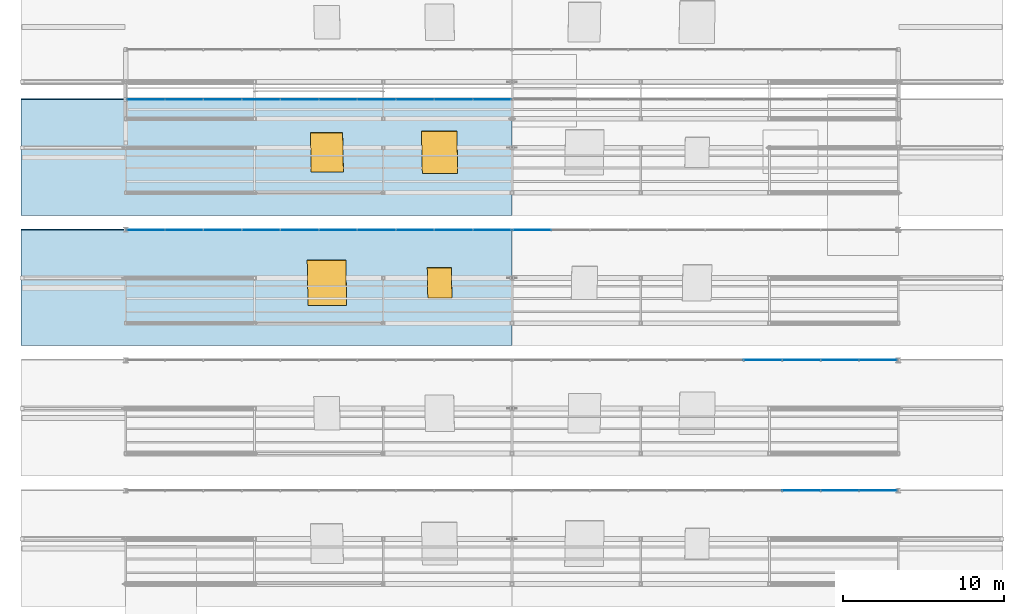
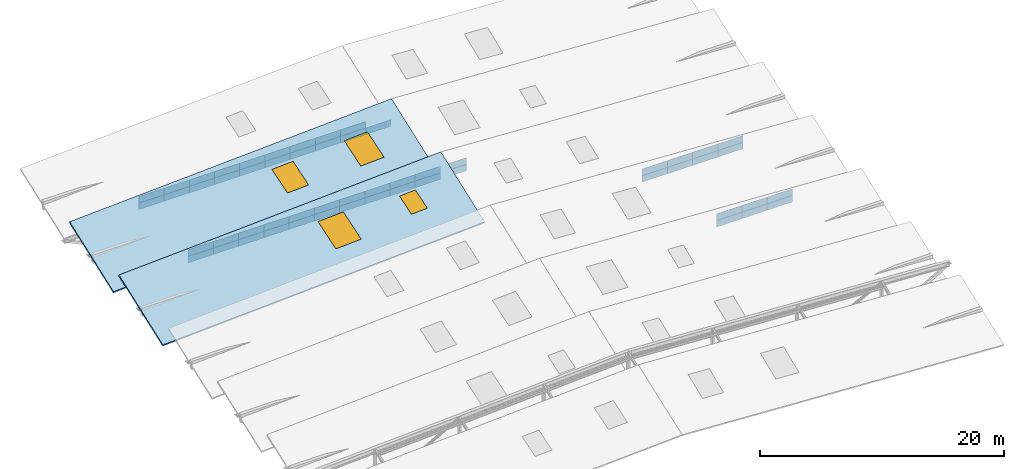
# One storey, part 129 of 141: 55 plates, 4 windows, 2 slabs, 4 openings, 6 elements without a shape of their own.
"""IFC4 building model written with IfcOpenShell, lengths in metres."""

from ifc_helpers import new_model, si_unit, direction, frame, origin, origin_2d, place, context, subcontext, project, spatial, polyline, rectangle, outline, extrude, material, layer, layer_set, type_object, element, fill, aggregate, save


model = new_model("IFC4")

# Units and contexts
model_context = context("Model", 3, precision=1e-05, world=origin(), true_north=direction((0.0, 1.0)))
body_context = subcontext(model_context, "Body", "Model", "MODEL_VIEW")
ifc_project = project(units=[si_unit("LENGTHUNIT", "METRE"), si_unit("AREAUNIT", "SQUARE_METRE"), si_unit("VOLUMEUNIT", "CUBIC_METRE"), si_unit("PLANEANGLEUNIT", "RADIAN"), si_unit("MASSUNIT", "GRAM", prefix="KILO")], contexts=[model_context])

# Site, building, storey
site_placement = place(None, origin())
site = spatial("IfcSite", under=ifc_project, at=site_placement, CompositionType="ELEMENT")
building_placement = place(site_placement, origin())
building = spatial("IfcBuilding", under=site, at=building_placement, Name="Sundkrona Museum", CompositionType="ELEMENT")
storey_placement = place(building_placement, frame((0.0, 0.0, 34.0)))
storey = spatial("IfcBuildingStorey", under=building, at=storey_placement, Name="RF", CompositionType="ELEMENT", Elevation=34.0)

# Curtain wall, plates
ifc_material_1 = material(Name="Unitised Aluminium-Steel and Ceramic-Clad Curtain Walling", Category="steel")
curtain_wall_type = type_object("IfcCurtainWallType", Name="CW-SW-240x13", PredefinedType="NOTDEFINED", material=ifc_material_1)
curtain_wall_1_placement = place(storey_placement, origin())
curtain_wall_1 = element("IfcCurtainWall", 1, at=curtain_wall_1_placement, inside=storey, type_object=curtain_wall_type, Name="Sawtooth Bay 3 East North-Light Clerestory", PredefinedType="NOTDEFINED")
ifc_material_2 = material(Name="North-Light Diffusing Triple Glazing 32 mm", Category="glass")
ifc_layer_1 = layer(ifc_material_2, 0.031982421875)
ifc_layer_set_1 = layer_set([ifc_layer_1], Name="North-Light Diffusing Triple Glazing 32 mm")
plate_type = type_object("IfcPlateType", Name="PN-GL-02", PredefinedType="CURTAIN_PANEL", material=ifc_layer_set_1)
plate_1_placement = place(storey_placement, frame((161.97509765625, 18.39990234375, 3.05322265625), z_axis=(0.0, 0.0, 1.0), x_axis=(1.0, 0.0, 0.0)))
plate_1 = element("IfcPlate", 2, at=plate_1_placement, type_object=plate_type, Name="CW-RF-SAW-03E Panel 15", PredefinedType="CURTAIN_PANEL", context=body_context, shape_type="SweptSolid", body=[
    extrude(rectangle(XDim=2.389892578125, YDim=0.031982421875, at=origin_2d()), origin(), (0.0, 0.0, 1.0), 0.659912109375),
])
plate_2_placement = place(storey_placement, frame((161.97509765625, 18.39990234375, 3.712890625), z_axis=(0.0, 0.0, 1.0), x_axis=(1.0, 0.0, 0.0)))
plate_2 = element("IfcPlate", 3, at=plate_2_placement, type_object=plate_type, Name="CW-RF-SAW-03E Panel 16", PredefinedType="CURTAIN_PANEL", context=body_context, shape_type="SweptSolid", body=[
    extrude(rectangle(XDim=2.389892578125, YDim=0.031982421875, at=origin_2d()), origin(), (0.0, 0.0, 1.0), 0.659912109375),
])
plate_3_placement = place(storey_placement, frame((164.364990234375, 18.39990234375, 3.05322265625), z_axis=(0.0, 0.0, 1.0), x_axis=(1.0, 0.0, 0.0)))
plate_3 = element("IfcPlate", 4, at=plate_3_placement, type_object=plate_type, Name="CW-RF-SAW-03E Panel 17", PredefinedType="CURTAIN_PANEL", context=body_context, shape_type="SweptSolid", body=[
    extrude(rectangle(XDim=2.389892578125, YDim=0.031982421875, at=origin_2d()), origin(), (0.0, 0.0, 1.0), 0.659912109375),
])
plate_4_placement = place(storey_placement, frame((164.364990234375, 18.39990234375, 3.712890625), z_axis=(0.0, 0.0, 1.0), x_axis=(1.0, 0.0, 0.0)))
plate_4 = element("IfcPlate", 5, at=plate_4_placement, type_object=plate_type, Name="CW-RF-SAW-03E Panel 18", PredefinedType="CURTAIN_PANEL", context=body_context, shape_type="SweptSolid", body=[
    extrude(rectangle(XDim=2.389892578125, YDim=0.031982421875, at=origin_2d()), origin(), (0.0, 0.0, 1.0), 0.659912109375),
])
plate_5_placement = place(storey_placement, frame((166.7548828125, 18.39990234375, 3.05322265625), z_axis=(0.0, 0.0, 1.0), x_axis=(1.0, 0.0, 0.0)))
plate_5 = element("IfcPlate", 6, at=plate_5_placement, type_object=plate_type, Name="CW-RF-SAW-03E Panel 19", PredefinedType="CURTAIN_PANEL", context=body_context, shape_type="SweptSolid", body=[
    extrude(rectangle(XDim=2.389892578125, YDim=0.031982421875, at=origin_2d()), origin(), (0.0, 0.0, 1.0), 0.659912109375),
])
plate_6_placement = place(storey_placement, frame((166.7548828125, 18.39990234375, 3.712890625), z_axis=(0.0, 0.0, 1.0), x_axis=(1.0, 0.0, 0.0)))
plate_6 = element("IfcPlate", 7, at=plate_6_placement, type_object=plate_type, Name="CW-RF-SAW-03E Panel 20", PredefinedType="CURTAIN_PANEL", context=body_context, shape_type="SweptSolid", body=[
    extrude(rectangle(XDim=2.389892578125, YDim=0.031982421875, at=origin_2d()), origin(), (0.0, 0.0, 1.0), 0.659912109375),
])
aggregate(curtain_wall_1, [plate_1, plate_2, plate_3, plate_4, plate_5, plate_6])

curtain_wall_2_placement = place(storey_placement, origin())
curtain_wall_2 = element("IfcCurtainWall", 8, at=curtain_wall_2_placement, inside=storey, type_object=curtain_wall_type, Name="Sawtooth Bay 4 East North-Light Clerestory", PredefinedType="NOTDEFINED")
plate_7_placement = place(storey_placement, frame((159.5849609375, 26.5, 3.47314453125), z_axis=(0.0, 0.0, 1.0), x_axis=(1.0, 0.0, 0.0)))
plate_7 = element("IfcPlate", 9, at=plate_7_placement, type_object=plate_type, Name="CW-RF-SAW-04E Panel 13", PredefinedType="CURTAIN_PANEL", context=body_context, shape_type="SweptSolid", body=[
    extrude(rectangle(XDim=2.389892578125, YDim=0.031982421875, at=origin_2d()), origin(), (0.0, 0.0, 1.0), 0.659912109375),
])
plate_8_placement = place(storey_placement, frame((159.5849609375, 26.5, 4.1328125), z_axis=(0.0, 0.0, 1.0), x_axis=(1.0, 0.0, 0.0)))
plate_8 = element("IfcPlate", 10, at=plate_8_placement, type_object=plate_type, Name="CW-RF-SAW-04E Panel 14", PredefinedType="CURTAIN_PANEL", context=body_context, shape_type="SweptSolid", body=[
    extrude(rectangle(XDim=2.389892578125, YDim=0.031982421875, at=origin_2d()), origin(), (0.0, 0.0, 1.0), 0.659912109375),
])
plate_9_placement = place(storey_placement, frame((161.97509765625, 26.5, 3.47314453125), z_axis=(0.0, 0.0, 1.0), x_axis=(1.0, 0.0, 0.0)))
plate_9 = element("IfcPlate", 11, at=plate_9_placement, type_object=plate_type, Name="CW-RF-SAW-04E Panel 15", PredefinedType="CURTAIN_PANEL", context=body_context, shape_type="SweptSolid", body=[
    extrude(rectangle(XDim=2.389892578125, YDim=0.031982421875, at=origin_2d()), origin(), (0.0, 0.0, 1.0), 0.659912109375),
])
plate_10_placement = place(storey_placement, frame((161.97509765625, 26.5, 4.1328125), z_axis=(0.0, 0.0, 1.0), x_axis=(1.0, 0.0, 0.0)))
plate_10 = element("IfcPlate", 12, at=plate_10_placement, type_object=plate_type, Name="CW-RF-SAW-04E Panel 16", PredefinedType="CURTAIN_PANEL", context=body_context, shape_type="SweptSolid", body=[
    extrude(rectangle(XDim=2.389892578125, YDim=0.031982421875, at=origin_2d()), origin(), (0.0, 0.0, 1.0), 0.659912109375),
])
plate_11_placement = place(storey_placement, frame((164.364990234375, 26.5, 3.47314453125), z_axis=(0.0, 0.0, 1.0), x_axis=(1.0, 0.0, 0.0)))
plate_11 = element("IfcPlate", 13, at=plate_11_placement, type_object=plate_type, Name="CW-RF-SAW-04E Panel 17", PredefinedType="CURTAIN_PANEL", context=body_context, shape_type="SweptSolid", body=[
    extrude(rectangle(XDim=2.389892578125, YDim=0.031982421875, at=origin_2d()), origin(), (0.0, 0.0, 1.0), 0.659912109375),
])
plate_12_placement = place(storey_placement, frame((164.364990234375, 26.5, 4.1328125), z_axis=(0.0, 0.0, 1.0), x_axis=(1.0, 0.0, 0.0)))
plate_12 = element("IfcPlate", 14, at=plate_12_placement, type_object=plate_type, Name="CW-RF-SAW-04E Panel 18", PredefinedType="CURTAIN_PANEL", context=body_context, shape_type="SweptSolid", body=[
    extrude(rectangle(XDim=2.389892578125, YDim=0.031982421875, at=origin_2d()), origin(), (0.0, 0.0, 1.0), 0.659912109375),
])
plate_13_placement = place(storey_placement, frame((166.7548828125, 26.5, 3.47314453125), z_axis=(0.0, 0.0, 1.0), x_axis=(1.0, 0.0, 0.0)))
plate_13 = element("IfcPlate", 15, at=plate_13_placement, type_object=plate_type, Name="CW-RF-SAW-04E Panel 19", PredefinedType="CURTAIN_PANEL", context=body_context, shape_type="SweptSolid", body=[
    extrude(rectangle(XDim=2.389892578125, YDim=0.031982421875, at=origin_2d()), origin(), (0.0, 0.0, 1.0), 0.659912109375),
])
plate_14_placement = place(storey_placement, frame((166.7548828125, 26.5, 4.1328125), z_axis=(0.0, 0.0, 1.0), x_axis=(1.0, 0.0, 0.0)))
plate_14 = element("IfcPlate", 16, at=plate_14_placement, type_object=plate_type, Name="CW-RF-SAW-04E Panel 20", PredefinedType="CURTAIN_PANEL", context=body_context, shape_type="SweptSolid", body=[
    extrude(rectangle(XDim=2.389892578125, YDim=0.031982421875, at=origin_2d()), origin(), (0.0, 0.0, 1.0), 0.659912109375),
])
aggregate(curtain_wall_2, [plate_7, plate_8, plate_9, plate_10, plate_11, plate_12, plate_13, plate_14])

curtain_wall_3_placement = place(storey_placement, origin())
curtain_wall_3 = element("IfcCurtainWall", 17, at=curtain_wall_3_placement, inside=storey, type_object=curtain_wall_type, Name="Sawtooth Bay 5 West North-Light Clerestory", PredefinedType="NOTDEFINED")
plate_15_placement = place(storey_placement, frame((121.2451171875, 34.60009765625, 3.89306640625), z_axis=(0.0, 0.0, 1.0), x_axis=(1.0, 0.0, 0.0)))
plate_15 = element("IfcPlate", 18, at=plate_15_placement, type_object=plate_type, Name="CW-RF-SAW-05W Panel 01", PredefinedType="CURTAIN_PANEL", context=body_context, shape_type="SweptSolid", body=[
    extrude(rectangle(XDim=2.389892578125, YDim=0.031982421875, at=origin_2d()), origin(), (0.0, 0.0, 1.0), 0.659912109375),
])
plate_16_placement = place(storey_placement, frame((121.2451171875, 34.60009765625, 4.55322265625), z_axis=(0.0, 0.0, 1.0), x_axis=(1.0, 0.0, 0.0)))
plate_16 = element("IfcPlate", 19, at=plate_16_placement, type_object=plate_type, Name="CW-RF-SAW-05W Panel 02", PredefinedType="CURTAIN_PANEL", context=body_context, shape_type="SweptSolid", body=[
    extrude(rectangle(XDim=2.389892578125, YDim=0.031982421875, at=origin_2d()), origin(), (0.0, 0.0, 1.0), 0.659912109375),
])
plate_17_placement = place(storey_placement, frame((123.635009765625, 34.60009765625, 3.89306640625), z_axis=(0.0, 0.0, 1.0), x_axis=(1.0, 0.0, 0.0)))
plate_17 = element("IfcPlate", 20, at=plate_17_placement, type_object=plate_type, Name="CW-RF-SAW-05W Panel 03", PredefinedType="CURTAIN_PANEL", context=body_context, shape_type="SweptSolid", body=[
    extrude(rectangle(XDim=2.389892578125, YDim=0.031982421875, at=origin_2d()), origin(), (0.0, 0.0, 1.0), 0.659912109375),
])
plate_18_placement = place(storey_placement, frame((123.635009765625, 34.60009765625, 4.55322265625), z_axis=(0.0, 0.0, 1.0), x_axis=(1.0, 0.0, 0.0)))
plate_18 = element("IfcPlate", 21, at=plate_18_placement, type_object=plate_type, Name="CW-RF-SAW-05W Panel 04", PredefinedType="CURTAIN_PANEL", context=body_context, shape_type="SweptSolid", body=[
    extrude(rectangle(XDim=2.389892578125, YDim=0.031982421875, at=origin_2d()), origin(), (0.0, 0.0, 1.0), 0.659912109375),
])
plate_19_placement = place(storey_placement, frame((126.02490234375, 34.60009765625, 3.89306640625), z_axis=(0.0, 0.0, 1.0), x_axis=(1.0, 0.0, 0.0)))
plate_19 = element("IfcPlate", 22, at=plate_19_placement, type_object=plate_type, Name="CW-RF-SAW-05W Panel 05", PredefinedType="CURTAIN_PANEL", context=body_context, shape_type="SweptSolid", body=[
    extrude(rectangle(XDim=2.389892578125, YDim=0.031982421875, at=origin_2d()), origin(), (0.0, 0.0, 1.0), 0.659912109375),
])
plate_20_placement = place(storey_placement, frame((126.02490234375, 34.60009765625, 4.55322265625), z_axis=(0.0, 0.0, 1.0), x_axis=(1.0, 0.0, 0.0)))
plate_20 = element("IfcPlate", 23, at=plate_20_placement, type_object=plate_type, Name="CW-RF-SAW-05W Panel 06", PredefinedType="CURTAIN_PANEL", context=body_context, shape_type="SweptSolid", body=[
    extrude(rectangle(XDim=2.389892578125, YDim=0.031982421875, at=origin_2d()), origin(), (0.0, 0.0, 1.0), 0.659912109375),
])
plate_21_placement = place(storey_placement, frame((128.4150390625, 34.60009765625, 3.89306640625), z_axis=(0.0, 0.0, 1.0), x_axis=(1.0, 0.0, 0.0)))
plate_21 = element("IfcPlate", 24, at=plate_21_placement, type_object=plate_type, Name="CW-RF-SAW-05W Panel 07", PredefinedType="CURTAIN_PANEL", context=body_context, shape_type="SweptSolid", body=[
    extrude(rectangle(XDim=2.389892578125, YDim=0.031982421875, at=origin_2d()), origin(), (0.0, 0.0, 1.0), 0.659912109375),
])
plate_22_placement = place(storey_placement, frame((128.4150390625, 34.60009765625, 4.55322265625), z_axis=(0.0, 0.0, 1.0), x_axis=(1.0, 0.0, 0.0)))
plate_22 = element("IfcPlate", 25, at=plate_22_placement, type_object=plate_type, Name="CW-RF-SAW-05W Panel 08", PredefinedType="CURTAIN_PANEL", context=body_context, shape_type="SweptSolid", body=[
    extrude(rectangle(XDim=2.389892578125, YDim=0.031982421875, at=origin_2d()), origin(), (0.0, 0.0, 1.0), 0.659912109375),
])
plate_23_placement = place(storey_placement, frame((130.804931640625, 34.60009765625, 3.89306640625), z_axis=(0.0, 0.0, 1.0), x_axis=(1.0, 0.0, 0.0)))
plate_23 = element("IfcPlate", 26, at=plate_23_placement, type_object=plate_type, Name="CW-RF-SAW-05W Panel 09", PredefinedType="CURTAIN_PANEL", context=body_context, shape_type="SweptSolid", body=[
    extrude(rectangle(XDim=2.389892578125, YDim=0.031982421875, at=origin_2d()), origin(), (0.0, 0.0, 1.0), 0.659912109375),
])
plate_24_placement = place(storey_placement, frame((130.804931640625, 34.60009765625, 4.55322265625), z_axis=(0.0, 0.0, 1.0), x_axis=(1.0, 0.0, 0.0)))
plate_24 = element("IfcPlate", 27, at=plate_24_placement, type_object=plate_type, Name="CW-RF-SAW-05W Panel 10", PredefinedType="CURTAIN_PANEL", context=body_context, shape_type="SweptSolid", body=[
    extrude(rectangle(XDim=2.389892578125, YDim=0.031982421875, at=origin_2d()), origin(), (0.0, 0.0, 1.0), 0.659912109375),
])
plate_25_placement = place(storey_placement, frame((133.195068359375, 34.60009765625, 3.89306640625), z_axis=(0.0, 0.0, 1.0), x_axis=(1.0, 0.0, 0.0)))
plate_25 = element("IfcPlate", 28, at=plate_25_placement, type_object=plate_type, Name="CW-RF-SAW-05W Panel 11", PredefinedType="CURTAIN_PANEL", context=body_context, shape_type="SweptSolid", body=[
    extrude(rectangle(XDim=2.389892578125, YDim=0.031982421875, at=origin_2d()), origin(), (0.0, 0.0, 1.0), 0.659912109375),
])
plate_26_placement = place(storey_placement, frame((133.195068359375, 34.60009765625, 4.55322265625), z_axis=(0.0, 0.0, 1.0), x_axis=(1.0, 0.0, 0.0)))
plate_26 = element("IfcPlate", 29, at=plate_26_placement, type_object=plate_type, Name="CW-RF-SAW-05W Panel 12", PredefinedType="CURTAIN_PANEL", context=body_context, shape_type="SweptSolid", body=[
    extrude(rectangle(XDim=2.389892578125, YDim=0.031982421875, at=origin_2d()), origin(), (0.0, 0.0, 1.0), 0.659912109375),
])
plate_27_placement = place(storey_placement, frame((135.5849609375, 34.60009765625, 3.89306640625), z_axis=(0.0, 0.0, 1.0), x_axis=(1.0, 0.0, 0.0)))
plate_27 = element("IfcPlate", 30, at=plate_27_placement, type_object=plate_type, Name="CW-RF-SAW-05W Panel 13", PredefinedType="CURTAIN_PANEL", context=body_context, shape_type="SweptSolid", body=[
    extrude(rectangle(XDim=2.389892578125, YDim=0.031982421875, at=origin_2d()), origin(), (0.0, 0.0, 1.0), 0.659912109375),
])
plate_28_placement = place(storey_placement, frame((135.5849609375, 34.60009765625, 4.55322265625), z_axis=(0.0, 0.0, 1.0), x_axis=(1.0, 0.0, 0.0)))
plate_28 = element("IfcPlate", 31, at=plate_28_placement, type_object=plate_type, Name="CW-RF-SAW-05W Panel 14", PredefinedType="CURTAIN_PANEL", context=body_context, shape_type="SweptSolid", body=[
    extrude(rectangle(XDim=2.389892578125, YDim=0.031982421875, at=origin_2d()), origin(), (0.0, 0.0, 1.0), 0.659912109375),
])
plate_29_placement = place(storey_placement, frame((137.97509765625, 34.60009765625, 3.89306640625), z_axis=(0.0, 0.0, 1.0), x_axis=(1.0, 0.0, 0.0)))
plate_29 = element("IfcPlate", 32, at=plate_29_placement, type_object=plate_type, Name="CW-RF-SAW-05W Panel 15", PredefinedType="CURTAIN_PANEL", context=body_context, shape_type="SweptSolid", body=[
    extrude(rectangle(XDim=2.389892578125, YDim=0.031982421875, at=origin_2d()), origin(), (0.0, 0.0, 1.0), 0.659912109375),
])
plate_30_placement = place(storey_placement, frame((137.97509765625, 34.60009765625, 4.55322265625), z_axis=(0.0, 0.0, 1.0), x_axis=(1.0, 0.0, 0.0)))
plate_30 = element("IfcPlate", 33, at=plate_30_placement, type_object=plate_type, Name="CW-RF-SAW-05W Panel 16", PredefinedType="CURTAIN_PANEL", context=body_context, shape_type="SweptSolid", body=[
    extrude(rectangle(XDim=2.389892578125, YDim=0.031982421875, at=origin_2d()), origin(), (0.0, 0.0, 1.0), 0.659912109375),
])
plate_31_placement = place(storey_placement, frame((140.364990234375, 34.60009765625, 3.89306640625), z_axis=(0.0, 0.0, 1.0), x_axis=(1.0, 0.0, 0.0)))
plate_31 = element("IfcPlate", 34, at=plate_31_placement, type_object=plate_type, Name="CW-RF-SAW-05W Panel 17", PredefinedType="CURTAIN_PANEL", context=body_context, shape_type="SweptSolid", body=[
    extrude(rectangle(XDim=2.389892578125, YDim=0.031982421875, at=origin_2d()), origin(), (0.0, 0.0, 1.0), 0.659912109375),
])
plate_32_placement = place(storey_placement, frame((140.364990234375, 34.60009765625, 4.55322265625), z_axis=(0.0, 0.0, 1.0), x_axis=(1.0, 0.0, 0.0)))
plate_32 = element("IfcPlate", 35, at=plate_32_placement, type_object=plate_type, Name="CW-RF-SAW-05W Panel 18", PredefinedType="CURTAIN_PANEL", context=body_context, shape_type="SweptSolid", body=[
    extrude(rectangle(XDim=2.389892578125, YDim=0.031982421875, at=origin_2d()), origin(), (0.0, 0.0, 1.0), 0.659912109375),
])
plate_33_placement = place(storey_placement, frame((142.7548828125, 34.60009765625, 3.89306640625), z_axis=(0.0, 0.0, 1.0), x_axis=(1.0, 0.0, 0.0)))
plate_33 = element("IfcPlate", 36, at=plate_33_placement, type_object=plate_type, Name="CW-RF-SAW-05W Panel 19", PredefinedType="CURTAIN_PANEL", context=body_context, shape_type="SweptSolid", body=[
    extrude(rectangle(XDim=2.389892578125, YDim=0.031982421875, at=origin_2d()), origin(), (0.0, 0.0, 1.0), 0.659912109375),
])
plate_34_placement = place(storey_placement, frame((142.7548828125, 34.60009765625, 4.55322265625), z_axis=(0.0, 0.0, 1.0), x_axis=(1.0, 0.0, 0.0)))
plate_34 = element("IfcPlate", 37, at=plate_34_placement, type_object=plate_type, Name="CW-RF-SAW-05W Panel 20", PredefinedType="CURTAIN_PANEL", context=body_context, shape_type="SweptSolid", body=[
    extrude(rectangle(XDim=2.389892578125, YDim=0.031982421875, at=origin_2d()), origin(), (0.0, 0.0, 1.0), 0.659912109375),
])
aggregate(curtain_wall_3, [plate_15, plate_16, plate_17, plate_18, plate_19, plate_20, plate_21, plate_22, plate_23, plate_24, plate_25, plate_26, plate_27, plate_28, plate_29, plate_30, plate_31, plate_32, plate_33, plate_34])

curtain_wall_4_placement = place(storey_placement, origin())
curtain_wall_4 = element("IfcCurtainWall", 38, at=curtain_wall_4_placement, inside=storey, type_object=curtain_wall_type, Name="Sawtooth Bay 5 East North-Light Clerestory", PredefinedType="NOTDEFINED")
plate_35_placement = place(storey_placement, frame((145.2451171875, 34.60009765625, 3.89306640625), z_axis=(0.0, 0.0, 1.0), x_axis=(1.0, 0.0, 0.0)))
plate_35 = element("IfcPlate", 39, at=plate_35_placement, type_object=plate_type, Name="CW-RF-SAW-05E Panel 01", PredefinedType="CURTAIN_PANEL", context=body_context, shape_type="SweptSolid", body=[
    extrude(rectangle(XDim=2.389892578125, YDim=0.031982421875, at=origin_2d()), origin(), (0.0, 0.0, 1.0), 0.659912109375),
])
plate_36_placement = place(storey_placement, frame((145.2451171875, 34.60009765625, 4.55322265625), z_axis=(0.0, 0.0, 1.0), x_axis=(1.0, 0.0, 0.0)))
plate_36 = element("IfcPlate", 40, at=plate_36_placement, type_object=plate_type, Name="CW-RF-SAW-05E Panel 02", PredefinedType="CURTAIN_PANEL", context=body_context, shape_type="SweptSolid", body=[
    extrude(rectangle(XDim=2.389892578125, YDim=0.031982421875, at=origin_2d()), origin(), (0.0, 0.0, 1.0), 0.659912109375),
])
aggregate(curtain_wall_4, [plate_35, plate_36])

curtain_wall_5_placement = place(storey_placement, origin())
curtain_wall_5 = element("IfcCurtainWall", 41, at=curtain_wall_5_placement, inside=storey, type_object=curtain_wall_type, Name="Sawtooth Bay 6 West North-Light Clerestory", PredefinedType="NOTDEFINED")
plate_37_placement = place(storey_placement, frame((121.2451171875, 42.699951171875, 4.31298828125), z_axis=(0.0, 0.0, 1.0), x_axis=(1.0, 0.0, 0.0)))
plate_37 = element("IfcPlate", 42, at=plate_37_placement, type_object=plate_type, Name="CW-RF-SAW-06W Panel 01", PredefinedType="CURTAIN_PANEL", context=body_context, shape_type="SweptSolid", body=[
    extrude(rectangle(XDim=2.389892578125, YDim=0.031982421875, at=origin_2d()), origin(), (0.0, 0.0, 1.0), 0.659912109375),
])
plate_38_placement = place(storey_placement, frame((121.2451171875, 42.699951171875, 4.97314453125), z_axis=(0.0, 0.0, 1.0), x_axis=(1.0, 0.0, 0.0)))
plate_38 = element("IfcPlate", 43, at=plate_38_placement, type_object=plate_type, Name="CW-RF-SAW-06W Panel 02", PredefinedType="CURTAIN_PANEL", context=body_context, shape_type="SweptSolid", body=[
    extrude(rectangle(XDim=2.389892578125, YDim=0.031982421875, at=origin_2d()), origin(), (0.0, 0.0, 1.0), 0.659912109375),
])
plate_39_placement = place(storey_placement, frame((123.635009765625, 42.699951171875, 4.31298828125), z_axis=(0.0, 0.0, 1.0), x_axis=(1.0, 0.0, 0.0)))
plate_39 = element("IfcPlate", 44, at=plate_39_placement, type_object=plate_type, Name="CW-RF-SAW-06W Panel 03", PredefinedType="CURTAIN_PANEL", context=body_context, shape_type="SweptSolid", body=[
    extrude(rectangle(XDim=2.389892578125, YDim=0.031982421875, at=origin_2d()), origin(), (0.0, 0.0, 1.0), 0.659912109375),
])
plate_40_placement = place(storey_placement, frame((123.635009765625, 42.699951171875, 4.97314453125), z_axis=(0.0, 0.0, 1.0), x_axis=(1.0, 0.0, 0.0)))
plate_40 = element("IfcPlate", 45, at=plate_40_placement, type_object=plate_type, Name="CW-RF-SAW-06W Panel 04", PredefinedType="CURTAIN_PANEL", context=body_context, shape_type="SweptSolid", body=[
    extrude(rectangle(XDim=2.389892578125, YDim=0.031982421875, at=origin_2d()), origin(), (0.0, 0.0, 1.0), 0.659912109375),
])
plate_41_placement = place(storey_placement, frame((126.02490234375, 42.699951171875, 4.31298828125), z_axis=(0.0, 0.0, 1.0), x_axis=(1.0, 0.0, 0.0)))
plate_41 = element("IfcPlate", 46, at=plate_41_placement, type_object=plate_type, Name="CW-RF-SAW-06W Panel 05", PredefinedType="CURTAIN_PANEL", context=body_context, shape_type="SweptSolid", body=[
    extrude(rectangle(XDim=2.389892578125, YDim=0.031982421875, at=origin_2d()), origin(), (0.0, 0.0, 1.0), 0.659912109375),
])
plate_42_placement = place(storey_placement, frame((126.02490234375, 42.699951171875, 4.97314453125), z_axis=(0.0, 0.0, 1.0), x_axis=(1.0, 0.0, 0.0)))
plate_42 = element("IfcPlate", 47, at=plate_42_placement, type_object=plate_type, Name="CW-RF-SAW-06W Panel 06", PredefinedType="CURTAIN_PANEL", context=body_context, shape_type="SweptSolid", body=[
    extrude(rectangle(XDim=2.389892578125, YDim=0.031982421875, at=origin_2d()), origin(), (0.0, 0.0, 1.0), 0.659912109375),
])
plate_43_placement = place(storey_placement, frame((128.4150390625, 42.699951171875, 4.31298828125), z_axis=(0.0, 0.0, 1.0), x_axis=(1.0, 0.0, 0.0)))
plate_43 = element("IfcPlate", 48, at=plate_43_placement, type_object=plate_type, Name="CW-RF-SAW-06W Panel 07", PredefinedType="CURTAIN_PANEL", context=body_context, shape_type="SweptSolid", body=[
    extrude(rectangle(XDim=2.389892578125, YDim=0.031982421875, at=origin_2d()), origin(), (0.0, 0.0, 1.0), 0.659912109375),
])
plate_44_placement = place(storey_placement, frame((128.4150390625, 42.699951171875, 4.97314453125), z_axis=(0.0, 0.0, 1.0), x_axis=(1.0, 0.0, 0.0)))
plate_44 = element("IfcPlate", 49, at=plate_44_placement, type_object=plate_type, Name="CW-RF-SAW-06W Panel 08", PredefinedType="CURTAIN_PANEL", context=body_context, shape_type="SweptSolid", body=[
    extrude(rectangle(XDim=2.389892578125, YDim=0.031982421875, at=origin_2d()), origin(), (0.0, 0.0, 1.0), 0.659912109375),
])
plate_45_placement = place(storey_placement, frame((130.804931640625, 42.699951171875, 4.31298828125), z_axis=(0.0, 0.0, 1.0), x_axis=(1.0, 0.0, 0.0)))
plate_45 = element("IfcPlate", 50, at=plate_45_placement, type_object=plate_type, Name="CW-RF-SAW-06W Panel 09", PredefinedType="CURTAIN_PANEL", context=body_context, shape_type="SweptSolid", body=[
    extrude(rectangle(XDim=2.389892578125, YDim=0.031982421875, at=origin_2d()), origin(), (0.0, 0.0, 1.0), 0.659912109375),
])
plate_46_placement = place(storey_placement, frame((130.804931640625, 42.699951171875, 4.97314453125), z_axis=(0.0, 0.0, 1.0), x_axis=(1.0, 0.0, 0.0)))
plate_46 = element("IfcPlate", 51, at=plate_46_placement, type_object=plate_type, Name="CW-RF-SAW-06W Panel 10", PredefinedType="CURTAIN_PANEL", context=body_context, shape_type="SweptSolid", body=[
    extrude(rectangle(XDim=2.389892578125, YDim=0.031982421875, at=origin_2d()), origin(), (0.0, 0.0, 1.0), 0.659912109375),
])
plate_47_placement = place(storey_placement, frame((133.195068359375, 42.699951171875, 4.31298828125), z_axis=(0.0, 0.0, 1.0), x_axis=(1.0, 0.0, 0.0)))
plate_47 = element("IfcPlate", 52, at=plate_47_placement, type_object=plate_type, Name="CW-RF-SAW-06W Panel 11", PredefinedType="CURTAIN_PANEL", context=body_context, shape_type="SweptSolid", body=[
    extrude(rectangle(XDim=2.389892578125, YDim=0.031982421875, at=origin_2d()), origin(), (0.0, 0.0, 1.0), 0.659912109375),
])
plate_48_placement = place(storey_placement, frame((133.195068359375, 42.699951171875, 4.97314453125), z_axis=(0.0, 0.0, 1.0), x_axis=(1.0, 0.0, 0.0)))
plate_48 = element("IfcPlate", 53, at=plate_48_placement, type_object=plate_type, Name="CW-RF-SAW-06W Panel 12", PredefinedType="CURTAIN_PANEL", context=body_context, shape_type="SweptSolid", body=[
    extrude(rectangle(XDim=2.389892578125, YDim=0.031982421875, at=origin_2d()), origin(), (0.0, 0.0, 1.0), 0.659912109375),
])
plate_49_placement = place(storey_placement, frame((135.5849609375, 42.699951171875, 4.31298828125), z_axis=(0.0, 0.0, 1.0), x_axis=(1.0, 0.0, 0.0)))
plate_49 = element("IfcPlate", 54, at=plate_49_placement, type_object=plate_type, Name="CW-RF-SAW-06W Panel 13", PredefinedType="CURTAIN_PANEL", context=body_context, shape_type="SweptSolid", body=[
    extrude(rectangle(XDim=2.389892578125, YDim=0.031982421875, at=origin_2d()), origin(), (0.0, 0.0, 1.0), 0.659912109375),
])
plate_50_placement = place(storey_placement, frame((135.5849609375, 42.699951171875, 4.97314453125), z_axis=(0.0, 0.0, 1.0), x_axis=(1.0, 0.0, 0.0)))
plate_50 = element("IfcPlate", 55, at=plate_50_placement, type_object=plate_type, Name="CW-RF-SAW-06W Panel 14", PredefinedType="CURTAIN_PANEL", context=body_context, shape_type="SweptSolid", body=[
    extrude(rectangle(XDim=2.389892578125, YDim=0.031982421875, at=origin_2d()), origin(), (0.0, 0.0, 1.0), 0.659912109375),
])
plate_51_placement = place(storey_placement, frame((137.97509765625, 42.699951171875, 4.31298828125), z_axis=(0.0, 0.0, 1.0), x_axis=(1.0, 0.0, 0.0)))
plate_51 = element("IfcPlate", 56, at=plate_51_placement, type_object=plate_type, Name="CW-RF-SAW-06W Panel 15", PredefinedType="CURTAIN_PANEL", context=body_context, shape_type="SweptSolid", body=[
    extrude(rectangle(XDim=2.389892578125, YDim=0.031982421875, at=origin_2d()), origin(), (0.0, 0.0, 1.0), 0.659912109375),
])
plate_52_placement = place(storey_placement, frame((137.97509765625, 42.699951171875, 4.97314453125), z_axis=(0.0, 0.0, 1.0), x_axis=(1.0, 0.0, 0.0)))
plate_52 = element("IfcPlate", 57, at=plate_52_placement, type_object=plate_type, Name="CW-RF-SAW-06W Panel 16", PredefinedType="CURTAIN_PANEL", context=body_context, shape_type="SweptSolid", body=[
    extrude(rectangle(XDim=2.389892578125, YDim=0.031982421875, at=origin_2d()), origin(), (0.0, 0.0, 1.0), 0.659912109375),
])
plate_53_placement = place(storey_placement, frame((140.364990234375, 42.699951171875, 4.31298828125), z_axis=(0.0, 0.0, 1.0), x_axis=(1.0, 0.0, 0.0)))
plate_53 = element("IfcPlate", 58, at=plate_53_placement, type_object=plate_type, Name="CW-RF-SAW-06W Panel 17", PredefinedType="CURTAIN_PANEL", context=body_context, shape_type="SweptSolid", body=[
    extrude(rectangle(XDim=2.389892578125, YDim=0.031982421875, at=origin_2d()), origin(), (0.0, 0.0, 1.0), 0.659912109375),
])
plate_54_placement = place(storey_placement, frame((140.364990234375, 42.699951171875, 4.97314453125), z_axis=(0.0, 0.0, 1.0), x_axis=(1.0, 0.0, 0.0)))
plate_54 = element("IfcPlate", 59, at=plate_54_placement, type_object=plate_type, Name="CW-RF-SAW-06W Panel 18", PredefinedType="CURTAIN_PANEL", context=body_context, shape_type="SweptSolid", body=[
    extrude(rectangle(XDim=2.389892578125, YDim=0.031982421875, at=origin_2d()), origin(), (0.0, 0.0, 1.0), 0.659912109375),
])
plate_55_placement = place(storey_placement, frame((142.7548828125, 42.699951171875, 4.31298828125), z_axis=(0.0, 0.0, 1.0), x_axis=(1.0, 0.0, 0.0)))
plate_55 = element("IfcPlate", 60, at=plate_55_placement, type_object=plate_type, Name="CW-RF-SAW-06W Panel 19", PredefinedType="CURTAIN_PANEL", context=body_context, shape_type="SweptSolid", body=[
    extrude(rectangle(XDim=2.389892578125, YDim=0.031982421875, at=origin_2d()), origin(), (0.0, 0.0, 1.0), 0.659912109375),
])
aggregate(curtain_wall_5, [plate_37, plate_38, plate_39, plate_40, plate_41, plate_42, plate_43, plate_44, plate_45, plate_46, plate_47, plate_48, plate_49, plate_50, plate_51, plate_52, plate_53, plate_54, plate_55])

# Roof, slabs, openings, windows
ifc_material_3 = material(Name="Patinated Copper and Composite Steel-Concrete", Category="concrete")
ifc_layer_2 = layer(ifc_material_3, 0.179931640625)
ifc_layer_set_2 = layer_set([ifc_layer_2], Name="Patinated Copper and Composite Steel-Concrete")
roof_type = type_object("IfcRoofType", Name="ROOF-PAV", PredefinedType="PAVILION_ROOF", material=ifc_layer_set_2)
roof_placement = place(storey_placement, origin())
roof = element("IfcRoof", 61, at=roof_placement, inside=storey, type_object=roof_type, Name="Volume 1 Crown Seven-Bay Sawtooth North-Light Roof", PredefinedType="PAVILION_ROOF")
ifc_material_4 = material(Name="Concrete C35/45", Category="concrete")
ifc_layer_3 = layer(ifc_material_4, 0.179931640625)
ifc_layer_set_3 = layer_set([ifc_layer_3], Name="Concrete C35/45")
slab_type = type_object("IfcSlabType", Name="SL-SW-180", PredefinedType="ROOF", material=ifc_layer_set_3)
slab_1_placement = place(storey_placement, frame((113.5, 27.39990234375, 2.330078125), z_axis=(-0.050700932326, -0.344939665136, 0.937254524063), x_axis=(0.998540060267, 0.0, 0.05401618314)))
slab_1 = element("IfcSlab", 62, at=slab_1_placement, type_object=slab_type, Name="Sawtooth Folded Blade 5 West", PredefinedType="ROOF", context=body_context, shape_type="SweptSolid", body=[
    extrude(outline(polyline([(0.0, 0.0), (30.54459326532131, -1.1102230246251565e-16), (30.68773087562387, 7.67100427545674), (0.14313761030255945, 7.671004275456741), (0.0, 0.0)])), origin(), (0.0, 0.0, -1.0), 0.179931640625),
])
opening_1_placement = place(slab_1_placement, frame((19.105224609375, 4.1552734375, 0.010009765625)))
opening_1 = element("IfcOpeningElement", 63, at=opening_1_placement, cuts=slab_1, Name="Opening RL-240x300", PredefinedType="OPENING", context=body_context, shape_type="SweptSolid", body=[
    extrude(rectangle(XDim=2.39990234375, YDim=3.0, at=origin_2d()), origin(), (0.0, 0.0, -1.0), 0.199951171875),
])
opening_2_placement = place(slab_1_placement, frame((26.115478515625, 4.1552734375, 0.010009765625)))
opening_2 = element("IfcOpeningElement", 64, at=opening_2_placement, cuts=slab_1, Name="Opening RL-150x200", PredefinedType="OPENING", context=body_context, shape_type="SweptSolid", body=[
    extrude(rectangle(XDim=1.5, YDim=2.0, at=origin_2d()), origin(), (0.0, 0.0, -1.0), 0.199951171875),
])
ifc_material_5 = material(Name="Triple Laminated UV-Filtered Skylight Glazing", Category="glass")
window_type_1 = type_object("IfcWindowType", Name="RL-150x200", PartitioningType="SINGLE_PANEL", PredefinedType="SKYLIGHT", material=ifc_material_5)
window_1_placement = place(slab_1_placement, frame((26.115478515625, 4.1552734375, 0.0)))
window_1 = element("IfcWindow", 65, at=window_1_placement, inside=storey, type_object=window_type_1, Name="Rooflight", OverallHeight=2.0, OverallWidth=1.5, PartitioningType="SINGLE_PANEL", PredefinedType="SKYLIGHT", context=body_context, shape_type="SweptSolid", body=[
    extrude(rectangle(XDim=1.5, YDim=2.0, at=origin_2d()), origin(), (0.0, 0.0, -1.0), 0.06005859375),
])
fill(opening_2, window_1)
window_type_2 = type_object("IfcWindowType", Name="RL-240x300", PartitioningType="SINGLE_PANEL", PredefinedType="SKYLIGHT", material=ifc_material_5)
window_2_placement = place(slab_1_placement, frame((19.105224609375, 4.1552734375, 0.0)))
window_2 = element("IfcWindow", 66, at=window_2_placement, inside=storey, type_object=window_type_2, Name="Rooflight", OverallHeight=3.0, OverallWidth=2.39990234375, PartitioningType="SINGLE_PANEL", PredefinedType="SKYLIGHT", context=body_context, shape_type="SweptSolid", body=[
    extrude(rectangle(XDim=2.39990234375, YDim=3.0, at=origin_2d()), origin(), (0.0, 0.0, -1.0), 0.06005859375),
])
fill(opening_1, window_2)
slab_2_placement = place(storey_placement, frame((113.5, 35.5, 2.75), z_axis=(-0.050704191351, -0.344963903747, 0.937245426818), x_axis=(0.998539870354, -1.29212e-06, 0.054019693748)))
slab_2 = element("IfcSlab", 67, at=slab_2_placement, type_object=slab_type, Name="Sawtooth Folded Blade 6 West", PredefinedType="ROOF", context=body_context, shape_type="SweptSolid", body=[
    extrude(outline(polyline([(0.0, 0.0), (30.544593265107036, -1.1102230246251565e-16), (30.68774406338385, 7.670859215361239), (0.14313760987502253, 7.670775118613867), (0.0, 0.0)])), origin(), (0.0, 0.0, -1.0), 0.179931640625),
])
opening_3_placement = place(slab_2_placement, frame((19.105224609375, 4.155029296875, 0.010009765625)))
opening_3 = element("IfcOpeningElement", 68, at=opening_3_placement, cuts=slab_2, Name="Opening RL-200x260", PredefinedType="OPENING", context=body_context, shape_type="SweptSolid", body=[
    extrude(rectangle(XDim=2.0, YDim=2.60009765625, at=origin_2d()), origin(), (0.0, 0.0, -1.0), 0.199951171875),
])
opening_4_placement = place(slab_2_placement, frame((26.115478515625, 4.155029296875, 0.010009765625)))
opening_4 = element("IfcOpeningElement", 69, at=opening_4_placement, cuts=slab_2, Name="Opening RL-220x280", PredefinedType="OPENING", context=body_context, shape_type="SweptSolid", body=[
    extrude(rectangle(XDim=2.199951171875, YDim=2.800048828125, at=origin_2d()), origin(), (0.0, 0.0, -1.0), 0.199951171875),
])
window_type_3 = type_object("IfcWindowType", Name="RL-200x260", PartitioningType="SINGLE_PANEL", PredefinedType="SKYLIGHT", material=ifc_material_5)
window_3_placement = place(slab_2_placement, frame((19.105224609375, 4.155029296875, 0.0)))
window_3 = element("IfcWindow", 70, at=window_3_placement, inside=storey, type_object=window_type_3, Name="Rooflight", OverallHeight=2.60009765625, OverallWidth=2.0, PartitioningType="SINGLE_PANEL", PredefinedType="SKYLIGHT", context=body_context, shape_type="SweptSolid", body=[
    extrude(rectangle(XDim=2.0, YDim=2.60009765625, at=origin_2d()), origin(), (0.0, 0.0, -1.0), 0.06005859375),
])
fill(opening_3, window_3)
window_type_4 = type_object("IfcWindowType", Name="RL-220x280", PartitioningType="SINGLE_PANEL", PredefinedType="SKYLIGHT", material=ifc_material_5)
window_4_placement = place(slab_2_placement, frame((26.115478515625, 4.155029296875, 0.0)))
window_4 = element("IfcWindow", 71, at=window_4_placement, inside=storey, type_object=window_type_4, Name="Rooflight", OverallHeight=2.800048828125, OverallWidth=2.199951171875, PartitioningType="SINGLE_PANEL", PredefinedType="SKYLIGHT", context=body_context, shape_type="SweptSolid", body=[
    extrude(rectangle(XDim=2.199951171875, YDim=2.800048828125, at=origin_2d()), origin(), (0.0, 0.0, -1.0), 0.06005859375),
])
fill(opening_4, window_4)
aggregate(roof, [slab_1, slab_2])

save(model, "model.ifc")
